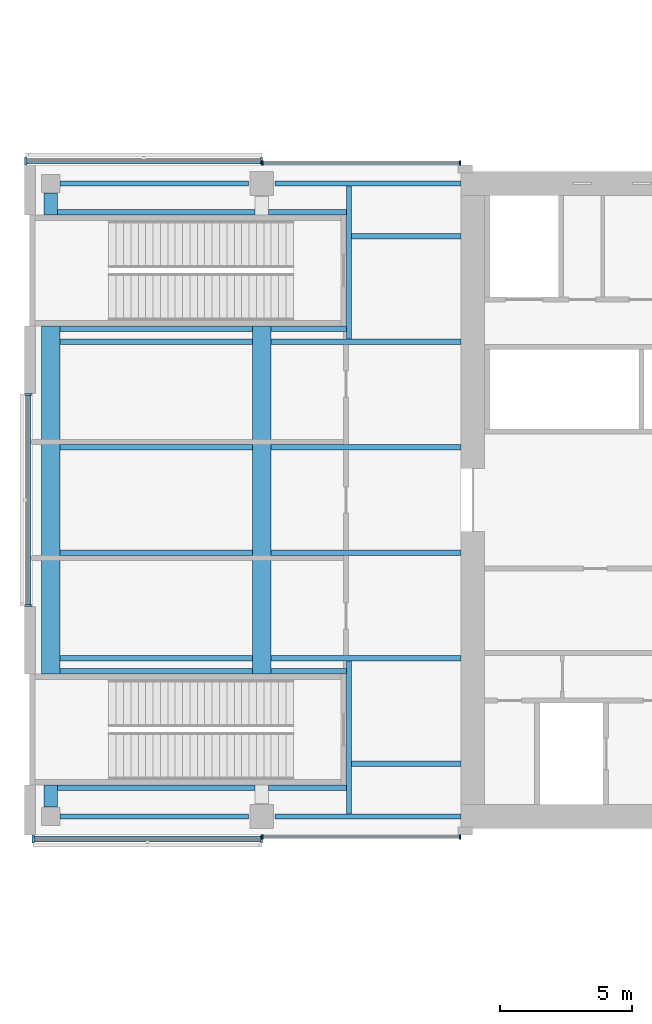
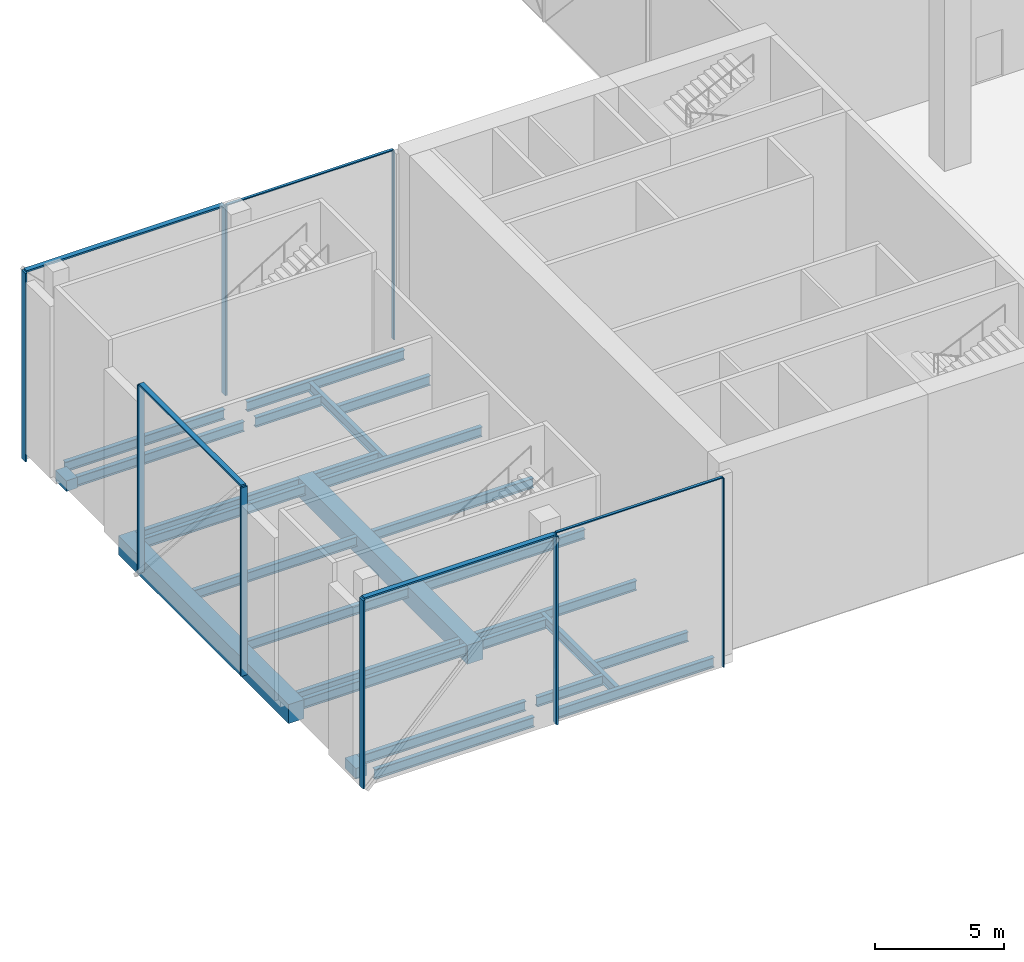
# One storey, part 4 of 26: 28 beams, 15 members, 5 elements without a shape of their own.
"""IFC4 building model written with IfcOpenShell, lengths in metres."""

from ifc_helpers import new_model, si_unit, direction, frame, origin, origin_2d, place, context, subcontext, project, spatial, rectangle, i_section, extrude, material, material_profile, profile_set, type_object, element, aggregate, save


model = new_model("IFC4")

# Units and contexts
model_context = context("Model", 3, precision=1e-05, world=origin(), true_north=direction((0.0, 1.0)))
body_context = subcontext(model_context, "Body", "Model", "MODEL_VIEW")
ifc_project = project(units=[si_unit("LENGTHUNIT", "METRE"), si_unit("AREAUNIT", "SQUARE_METRE"), si_unit("VOLUMEUNIT", "CUBIC_METRE"), si_unit("PLANEANGLEUNIT", "RADIAN"), si_unit("MASSUNIT", "GRAM", prefix="KILO")], contexts=[model_context])

# Site, building, storey
site_placement = place(None, origin())
site = spatial("IfcSite", under=ifc_project, at=site_placement, CompositionType="ELEMENT")
building_placement = place(site_placement, origin())
building = spatial("IfcBuilding", under=site, at=building_placement, Name="Crosswind Convention Tower", CompositionType="ELEMENT")
storey_placement = place(building_placement, frame((0.0, 0.0, 25.0)))
storey = spatial("IfcBuildingStorey", under=building, at=storey_placement, Name="L03", CompositionType="ELEMENT", Elevation=25.0)

# Beams
ifc_material_1 = material(Name="Steel S355", Category="steel")
ifc_material_profile_1 = material_profile(ifc_material_1, i_section(OverallWidth=0.19287109375, OverallDepth=0.467529296875, WebThickness=0.011474609375, FlangeThickness=0.01953125, FilletRadius=0.01025390625, at=origin_2d()), Name="UB 457x191x98")
ifc_profile_set_1 = profile_set([ifc_material_profile_1], Name="Steel S355")
beam_type_1 = type_object("IfcBeamType", Name="Edge beam UB 457x191x98", PredefinedType="SPANDREL", material=ifc_profile_set_1)
for number, where, z_axis, x_axis, name in (
    (1, (81.35009765625, 88.0, -0.6337890625), (1.0, 0.0, 0.0), (0.0, 1.0, 0.0), "B20 L03 edge beam 1"),
    (2, (81.35009765625, 112.0, -0.6337890625), (1.0, 0.0, 0.0), (0.0, 1.0, 0.0), "B20 L03 edge beam 2"),
):
    element("IfcBeam", number, at=place(storey_placement, frame(where, z_axis=z_axis, x_axis=x_axis)), inside=storey, type_object=beam_type_1, Name=name, PredefinedType="SPANDREL", context=body_context, shape_type="SweptSolid", body=[
        extrude(i_section(OverallWidth=0.19287109375, OverallDepth=0.467529296875, WebThickness=0.011474609375, FlangeThickness=0.01953125, FilletRadius=0.01025390625, at=origin_2d()), origin(), (0.0, 0.0, 1.0), 7.14990234375),
    ])
for number, where, z_axis, x_axis, name in (
    (3, (89.5, 88.0, -0.6337890625), (1.0, 0.0, 0.0), (0.0, 1.0, 0.0), "B20 L03 edge beam 3"),
    (4, (89.5, 112.0, -0.6337890625), (1.0, 0.0, 0.0), (0.0, 1.0, 0.0), "B20 L03 edge beam 4"),
):
    element("IfcBeam", number, at=place(storey_placement, frame(where, z_axis=z_axis, x_axis=x_axis)), inside=storey, type_object=beam_type_1, Name=name, PredefinedType="SPANDREL", context=body_context, shape_type="SweptSolid", body=[
        extrude(i_section(OverallWidth=0.19287109375, OverallDepth=0.467529296875, WebThickness=0.011474609375, FlangeThickness=0.01953125, FilletRadius=0.01025390625, at=origin_2d()), origin(), (0.0, 0.0, 1.0), 7.050048828125),
    ])

# Curtain wall, members
ifc_material_2 = material(Name="Aluminium unitised curtain wall", Category="aluminium")
curtain_wall_type_1 = type_object("IfcCurtainWallType", Name="CORE END SLOT WALL 160", PredefinedType="USERDEFINED", material=ifc_material_2)
curtain_wall_1_placement = place(storey_placement, origin())
curtain_wall_1 = element("IfcCurtainWall", 5, at=curtain_wall_1_placement, inside=storey, type_object=curtain_wall_type_1, Name="CW6 L03 W-N.2-1 slot", ObjectType="UNITISED", PredefinedType="USERDEFINED")
ifc_material_3 = material(Name="Aluminium mullion", Category="aluminium")
ifc_material_profile_2 = material_profile(ifc_material_3, rectangle(XDim=0.159912109375, YDim=0.050048828125, at=origin_2d()), Name="AL 160X50")
ifc_profile_set_2 = profile_set([ifc_material_profile_2], Name="Aluminium mullion")
member_type_1 = type_object("IfcMemberType", Name="MULLION 50X160", PredefinedType="MULLION", material=ifc_profile_set_2)
member_1_placement = place(storey_placement, frame((96.52490234375, 112.780029296875, -0.39990234375), z_axis=(0.0, 0.0, 1.0), x_axis=(0.0, 1.0, 0.0)))
member_1 = element("IfcMember", 6, at=member_1_placement, type_object=member_type_1, Name="CW6 mullion 1", PredefinedType="MULLION", context=body_context, shape_type="SweptSolid", body=[
    extrude(rectangle(XDim=0.159912109375, YDim=0.050048828125, at=origin_2d()), origin(), (0.0, 0.0, 1.0), 8.949951171875),
])
member_2_placement = place(storey_placement, frame((89.02490234375, 112.780029296875, -0.39990234375), z_axis=(0.0, 0.0, 1.0), x_axis=(0.0, 1.0, 0.0)))
member_2 = element("IfcMember", 7, at=member_2_placement, type_object=member_type_1, Name="CW6 mullion 2", PredefinedType="MULLION", context=body_context, shape_type="SweptSolid", body=[
    extrude(rectangle(XDim=0.159912109375, YDim=0.050048828125, at=origin_2d()), origin(), (0.0, 0.0, 1.0), 8.949951171875),
])

curtain_wall_2_placement = place(storey_placement, origin())
curtain_wall_2 = element("IfcCurtainWall", 8, at=curtain_wall_2_placement, inside=storey, type_object=curtain_wall_type_1, Name="CW6 L03 W-S.1-2 slot", ObjectType="UNITISED", PredefinedType="USERDEFINED")
member_3_placement = place(storey_placement, frame((89.02490234375, 87.219970703125, -0.39990234375), z_axis=(0.0, 0.0, 1.0), x_axis=(0.0, -1.0, 0.0)))
member_3 = element("IfcMember", 9, at=member_3_placement, type_object=member_type_1, Name="CW6 mullion 1", PredefinedType="MULLION", context=body_context, shape_type="SweptSolid", body=[
    extrude(rectangle(XDim=0.159912109375, YDim=0.050048828125, at=origin_2d()), origin(), (0.0, 0.0, 1.0), 8.949951171875),
])
member_4_placement = place(storey_placement, frame((96.52490234375, 87.219970703125, -0.39990234375), z_axis=(0.0, 0.0, 1.0), x_axis=(0.0, -1.0, 0.0)))
member_4 = element("IfcMember", 10, at=member_4_placement, type_object=member_type_1, Name="CW6 mullion 2", PredefinedType="MULLION", context=body_context, shape_type="SweptSolid", body=[
    extrude(rectangle(XDim=0.159912109375, YDim=0.050048828125, at=origin_2d()), origin(), (0.0, 0.0, 1.0), 8.949951171875),
])

curtain_wall_type_2 = type_object("IfcCurtainWallType", Name="PODIUM UNITISED WALL 300", PredefinedType="USERDEFINED", material=ifc_material_2)
curtain_wall_3_placement = place(storey_placement, origin())
curtain_wall_3 = element("IfcCurtainWall", 11, at=curtain_wall_3_placement, inside=storey, type_object=curtain_wall_type_2, Name="CW1 L03 W-N 2", ObjectType="UNITISED", PredefinedType="USERDEFINED")
ifc_material_profile_3 = material_profile(ifc_material_3, rectangle(XDim=0.300048828125, YDim=0.080078125, at=origin_2d()), Name="AL 300X80")
ifc_profile_set_3 = profile_set([ifc_material_profile_3], Name="Aluminium mullion")
member_type_2 = type_object("IfcMemberType", Name="MULLION 80X300", PredefinedType="MULLION", material=ifc_profile_set_3)
member_5_placement = place(storey_placement, frame((89.0, 112.85009765625, -0.39990234375), z_axis=(0.0, 0.0, 1.0), x_axis=(0.0, 1.0, 0.0)))
member_5 = element("IfcMember", 12, at=member_5_placement, type_object=member_type_2, Name="CW1 mullion 1", PredefinedType="MULLION", context=body_context, shape_type="SweptSolid", body=[
    extrude(rectangle(XDim=0.300048828125, YDim=0.080078125, at=origin_2d()), origin(), (0.0, 0.0, 1.0), 8.919921875),
])
member_6_placement = place(storey_placement, frame((80.054931640625, 112.85009765625, -0.39990234375), z_axis=(0.0, 0.0, 1.0), x_axis=(0.0, 1.0, 0.0)))
member_6 = element("IfcMember", 13, at=member_6_placement, type_object=member_type_2, Name="CW1 mullion 2", PredefinedType="MULLION", context=body_context, shape_type="SweptSolid", body=[
    extrude(rectangle(XDim=0.300048828125, YDim=0.080078125, at=origin_2d()), origin(), (0.0, 0.0, 1.0), 8.919921875),
])

curtain_wall_4_placement = place(storey_placement, origin())
curtain_wall_4 = element("IfcCurtainWall", 14, at=curtain_wall_4_placement, inside=storey, type_object=curtain_wall_type_2, Name="CW1 L03 W-TIP 1", ObjectType="UNITISED", PredefinedType="USERDEFINED")
member_7_placement = place(storey_placement, frame((80.14990234375, 104.0, -0.39990234375), z_axis=(0.0, 0.0, 1.0), x_axis=(-1.0, 0.0, 0.0)))
member_7 = element("IfcMember", 15, at=member_7_placement, type_object=member_type_2, Name="CW1 mullion 1", PredefinedType="MULLION", context=body_context, shape_type="SweptSolid", body=[
    extrude(rectangle(XDim=0.300048828125, YDim=0.080078125, at=origin_2d()), origin(), (0.0, 0.0, 1.0), 8.919921875),
])
member_8_placement = place(storey_placement, frame((80.14990234375, 96.0, -0.39990234375), z_axis=(0.0, 0.0, 1.0), x_axis=(-1.0, 0.0, 0.0)))
member_8 = element("IfcMember", 16, at=member_8_placement, type_object=member_type_2, Name="CW1 mullion 2", PredefinedType="MULLION", context=body_context, shape_type="SweptSolid", body=[
    extrude(rectangle(XDim=0.300048828125, YDim=0.080078125, at=origin_2d()), origin(), (0.0, 0.0, 1.0), 8.919921875),
])

curtain_wall_5_placement = place(storey_placement, origin())
curtain_wall_5 = element("IfcCurtainWall", 17, at=curtain_wall_5_placement, inside=storey, type_object=curtain_wall_type_2, Name="CW1 L03 W-S 1", ObjectType="UNITISED", PredefinedType="USERDEFINED")
member_9_placement = place(storey_placement, frame((80.340087890625, 87.14990234375, -0.39990234375), z_axis=(0.0, 0.0, 1.0), x_axis=(0.0, -1.0, 0.0)))
member_9 = element("IfcMember", 18, at=member_9_placement, type_object=member_type_2, Name="CW1 mullion 1", PredefinedType="MULLION", context=body_context, shape_type="SweptSolid", body=[
    extrude(rectangle(XDim=0.300048828125, YDim=0.080078125, at=origin_2d()), origin(), (0.0, 0.0, 1.0), 8.919921875),
])
member_10_placement = place(storey_placement, frame((89.0, 87.14990234375, -0.39990234375), z_axis=(0.0, 0.0, 1.0), x_axis=(0.0, -1.0, 0.0)))
member_10 = element("IfcMember", 19, at=member_10_placement, type_object=member_type_2, Name="CW1 mullion 2", PredefinedType="MULLION", context=body_context, shape_type="SweptSolid", body=[
    extrude(rectangle(XDim=0.300048828125, YDim=0.080078125, at=origin_2d()), origin(), (0.0, 0.0, 1.0), 8.919921875),
])

# Beams
ifc_material_4 = material(Name="Concrete C60/75", Category="concrete")
ifc_material_profile_4 = material_profile(ifc_material_4, rectangle(XDim=0.699951171875, YDim=0.89990234375, at=origin_2d()), Name="RC 700X900")
ifc_profile_set_4 = profile_set([ifc_material_profile_4], Name="Concrete C60/75")
beam_type_2 = type_object("IfcBeamType", Name="Prestressed concrete girder between stair walls RC 700X900", PredefinedType="BEAM", material=ifc_profile_set_4)
for number, where, z_axis, x_axis, name in (
    (20, (81.0, 93.39990234375, -0.85009765625), (0.0, 1.0, 0.0), (-1.0, 0.0, 0.0), "B41 L03 prestressed concrete girder between stair walls 1"),
    (21, (89.0, 93.39990234375, -0.85009765625), (0.0, 1.0, 0.0), (-1.0, 0.0, 0.0), "B41 L03 prestressed concrete girder between stair walls 2"),
):
    element("IfcBeam", number, at=place(storey_placement, frame(where, z_axis=z_axis, x_axis=x_axis)), inside=storey, type_object=beam_type_2, Name=name, PredefinedType="BEAM", context=body_context, shape_type="SweptSolid", body=[
        extrude(rectangle(XDim=0.699951171875, YDim=0.89990234375, at=origin_2d()), origin(), (0.0, 0.0, 1.0), 13.2001953125),
    ])
ifc_material_profile_5 = material_profile(ifc_material_1, i_section(OverallWidth=0.19140625, OverallDepth=0.460205078125, WebThickness=0.010009765625, FlangeThickness=0.01611328125, FilletRadius=0.01025390625, at=origin_2d()), Name="UB 457x191x82")
ifc_profile_set_5 = profile_set([ifc_material_profile_5], Name="Steel S355")
beam_type_3 = type_object("IfcBeamType", Name="Secondary beam UB 457x191x82", PredefinedType="JOIST", material=ifc_profile_set_5)
for number, where, z_axis, x_axis, name in (
    (22, (81.35009765625, 94.0, -0.630126953125), (1.0, 0.0, 0.0), (0.0, 1.0, 0.0), "B13 L03 secondary beam 1"),
    (23, (81.35009765625, 98.0, -0.630126953125), (1.0, 0.0, 0.0), (0.0, 1.0, 0.0), "B13 L03 secondary beam 2"),
    (24, (81.35009765625, 102.0, -0.630126953125), (1.0, 0.0, 0.0), (0.0, 1.0, 0.0), "B13 L03 secondary beam 3"),
    (25, (81.35009765625, 106.0, -0.630126953125), (1.0, 0.0, 0.0), (0.0, 1.0, 0.0), "B13 L03 secondary beam 4"),
):
    element("IfcBeam", number, at=place(storey_placement, frame(where, z_axis=z_axis, x_axis=x_axis)), inside=storey, type_object=beam_type_3, Name=name, PredefinedType="JOIST", context=body_context, shape_type="SweptSolid", body=[
        extrude(i_section(OverallWidth=0.19140625, OverallDepth=0.460205078125, WebThickness=0.010009765625, FlangeThickness=0.01611328125, FilletRadius=0.01025390625, at=origin_2d()), origin(), (0.0, 0.0, 1.0), 7.2998046875),
    ])
for number, where, z_axis, x_axis, name in (
    (26, (89.35009765625, 94.0, -0.630126953125), (1.0, 0.0, 0.0), (0.0, 1.0, 0.0), "B13 L03 secondary beam 5"),
    (27, (89.35009765625, 98.0, -0.630126953125), (1.0, 0.0, 0.0), (0.0, 1.0, 0.0), "B13 L03 secondary beam 6"),
    (28, (89.35009765625, 102.0, -0.630126953125), (1.0, 0.0, 0.0), (0.0, 1.0, 0.0), "B13 L03 secondary beam 7"),
    (29, (89.35009765625, 106.0, -0.630126953125), (1.0, 0.0, 0.0), (0.0, 1.0, 0.0), "B13 L03 secondary beam 8"),
):
    element("IfcBeam", number, at=place(storey_placement, frame(where, z_axis=z_axis, x_axis=x_axis)), inside=storey, type_object=beam_type_3, Name=name, PredefinedType="JOIST", context=body_context, shape_type="SweptSolid", body=[
        extrude(i_section(OverallWidth=0.19140625, OverallDepth=0.460205078125, WebThickness=0.010009765625, FlangeThickness=0.01611328125, FilletRadius=0.01025390625, at=origin_2d()), origin(), (0.0, 0.0, 1.0), 7.199951171875),
    ])
for number, where, z_axis, x_axis, name in (
    (30, (92.406005859375, 90.0, -0.630126953125), (1.0, 0.0, 0.0), (0.0, 1.0, 0.0), "B13 L03 secondary beam 9"),
    (31, (92.406005859375, 110.0, -0.630126953125), (1.0, 0.0, 0.0), (0.0, 1.0, 0.0), "B13 L03 secondary beam 10"),
):
    element("IfcBeam", number, at=place(storey_placement, frame(where, z_axis=z_axis, x_axis=x_axis)), inside=storey, type_object=beam_type_3, Name=name, PredefinedType="JOIST", context=body_context, shape_type="SweptSolid", body=[
        extrude(i_section(OverallWidth=0.19140625, OverallDepth=0.460205078125, WebThickness=0.010009765625, FlangeThickness=0.01611328125, FilletRadius=0.01025390625, at=origin_2d()), origin(), (0.0, 0.0, 1.0), 4.14404296875),
    ])
ifc_material_profile_6 = material_profile(ifc_material_4, rectangle(XDim=0.5, YDim=0.5, at=origin_2d()), Name="RC 500X500")
ifc_profile_set_6 = profile_set([ifc_material_profile_6], Name="Concrete C60/75")
beam_type_4 = type_object("IfcBeamType", Name="Slab edge tie beam RC 500X500", PredefinedType="BEAM", material=ifc_profile_set_6)
for number, where, z_axis, x_axis, name in (
    (32, (81.0, 88.35009765625, -0.64990234375), (0.0, 1.0, 0.0), (-1.0, 0.0, 0.0), "B42 L03 slab edge tie beam 1"),
    (33, (81.0, 110.800048828125, -0.64990234375), (0.0, 1.0, 0.0), (-1.0, 0.0, 0.0), "B42 L03 slab edge tie beam 2"),
):
    element("IfcBeam", number, at=place(storey_placement, frame(where, z_axis=z_axis, x_axis=x_axis)), inside=storey, type_object=beam_type_4, Name=name, PredefinedType="BEAM", context=body_context, shape_type="SweptSolid", body=[
        extrude(rectangle(XDim=0.5, YDim=0.5, at=origin_2d()), origin(), (0.0, 0.0, 1.0), 0.849853515625),
    ])

# Member
ifc_material_5 = material(Name="Aluminium transom", Category="aluminium")
ifc_material_profile_7 = material_profile(ifc_material_5, rectangle(XDim=0.1201171875, YDim=0.050048828125, at=origin_2d()), Name="AL 120X50")
ifc_profile_set_7 = profile_set([ifc_material_profile_7], Name="Aluminium transom")
member_type_3 = type_object("IfcMemberType", Name="TRANSOM 50X120", PredefinedType="USERDEFINED", material=ifc_profile_set_7)
member_11_placement = place(storey_placement, frame((96.5, 112.780029296875, 8.574951171875), z_axis=(-1.0, 0.0, 0.0), x_axis=(0.0, -1.0, 0.0)))
member_11 = element("IfcMember", 34, at=member_11_placement, type_object=member_type_3, Name="CW6 transom", ObjectType="TRANSOM", PredefinedType="USERDEFINED", context=body_context, shape_type="SweptSolid", body=[
    extrude(rectangle(XDim=0.1201171875, YDim=0.050048828125, at=origin_2d()), origin(), (0.0, 0.0, 1.0), 7.449951171875),
])

aggregate(curtain_wall_1, [member_1, member_2, member_11])

member_12_placement = place(storey_placement, frame((89.050048828125, 87.219970703125, 8.574951171875), z_axis=(1.0, 0.0, 0.0), x_axis=(0.0, 1.0, 0.0)))
member_12 = element("IfcMember", 35, at=member_12_placement, type_object=member_type_3, Name="CW6 transom", ObjectType="TRANSOM", PredefinedType="USERDEFINED", context=body_context, shape_type="SweptSolid", body=[
    extrude(rectangle(XDim=0.1201171875, YDim=0.050048828125, at=origin_2d()), origin(), (0.0, 0.0, 1.0), 7.449951171875),
])

aggregate(curtain_wall_2, [member_3, member_4, member_12])

ifc_material_profile_8 = material_profile(ifc_material_5, rectangle(XDim=0.219970703125, YDim=0.080078125, at=origin_2d()), Name="AL 220X80")
ifc_profile_set_8 = profile_set([ifc_material_profile_8], Name="Aluminium transom")
member_type_4 = type_object("IfcMemberType", Name="TRANSOM 80X220", PredefinedType="USERDEFINED", material=ifc_profile_set_8)
member_13_placement = place(storey_placement, frame((88.9599609375, 112.85009765625, 8.56005859375), z_axis=(-1.0, 0.0, 0.0), x_axis=(0.0, -1.0, 0.0)))
member_13 = element("IfcMember", 36, at=member_13_placement, type_object=member_type_4, Name="CW1 transom", ObjectType="TRANSOM", PredefinedType="USERDEFINED", context=body_context, shape_type="SweptSolid", body=[
    extrude(rectangle(XDim=0.219970703125, YDim=0.080078125, at=origin_2d()), origin(), (0.0, 0.0, 1.0), 8.864990234375),
])

aggregate(curtain_wall_3, [member_5, member_6, member_13])

member_14_placement = place(storey_placement, frame((80.14990234375, 103.9599609375, 8.56005859375), z_axis=(0.0, -1.0, 0.0), x_axis=(1.0, 0.0, 0.0)))
member_14 = element("IfcMember", 37, at=member_14_placement, type_object=member_type_4, Name="CW1 transom", ObjectType="TRANSOM", PredefinedType="USERDEFINED", context=body_context, shape_type="SweptSolid", body=[
    extrude(rectangle(XDim=0.219970703125, YDim=0.080078125, at=origin_2d()), origin(), (0.0, 0.0, 1.0), 7.919921875),
])

aggregate(curtain_wall_4, [member_7, member_8, member_14])

member_15_placement = place(storey_placement, frame((80.3798828125, 87.14990234375, 8.56005859375), z_axis=(1.0, 0.0, 0.0), x_axis=(0.0, 1.0, 0.0)))
member_15 = element("IfcMember", 38, at=member_15_placement, type_object=member_type_4, Name="CW1 transom", ObjectType="TRANSOM", PredefinedType="USERDEFINED", context=body_context, shape_type="SweptSolid", body=[
    extrude(rectangle(XDim=0.219970703125, YDim=0.080078125, at=origin_2d()), origin(), (0.0, 0.0, 1.0), 8.580078125),
])

aggregate(curtain_wall_5, [member_9, member_10, member_15])

# Beams
ifc_material_profile_9 = material_profile(ifc_material_1, i_section(OverallWidth=0.19189453125, OverallDepth=0.463623046875, WebThickness=0.010498046875, FlangeThickness=0.017578125, FilletRadius=0.01025390625, at=origin_2d()), Name="UB 457x191x90")
ifc_profile_set_9 = profile_set([ifc_material_profile_9], Name="Steel S355")
beam_type_5 = type_object("IfcBeamType", Name="Trimmer beam UB 457x191x90", PredefinedType="BEAM", material=ifc_profile_set_9)
for number, where, z_axis, x_axis, name in (
    (39, (88.64990234375, 93.510009765625, -0.6318359375), (-1.0, 0.0, 0.0), (0.0, -1.0, 0.0), "B33 L03 trimmer beam 1"),
    (40, (88.64990234375, 106.489990234375, -0.6318359375), (-1.0, 0.0, 0.0), (0.0, -1.0, 0.0), "B33 L03 trimmer beam 2"),
):
    element("IfcBeam", number, at=place(storey_placement, frame(where, z_axis=z_axis, x_axis=x_axis)), inside=storey, type_object=beam_type_5, Name=name, PredefinedType="BEAM", context=body_context, shape_type="SweptSolid", body=[
        extrude(i_section(OverallWidth=0.19189453125, OverallDepth=0.463623046875, WebThickness=0.010498046875, FlangeThickness=0.017578125, FilletRadius=0.01025390625, at=origin_2d()), origin(), (0.0, 0.0, 1.0), 7.2998046875),
    ])
for number, where, z_axis, x_axis, name in (
    (41, (88.75, 89.090087890625, -0.6318359375), (-1.0, 0.0, 0.0), (0.0, -1.0, 0.0), "B33 L03 trimmer beam 3"),
    (42, (88.75, 110.909912109375, -0.6318359375), (-1.0, 0.0, 0.0), (0.0, -1.0, 0.0), "B33 L03 trimmer beam 4"),
):
    element("IfcBeam", number, at=place(storey_placement, frame(where, z_axis=z_axis, x_axis=x_axis)), inside=storey, type_object=beam_type_5, Name=name, PredefinedType="BEAM", context=body_context, shape_type="SweptSolid", body=[
        extrude(i_section(OverallWidth=0.19189453125, OverallDepth=0.463623046875, WebThickness=0.010498046875, FlangeThickness=0.017578125, FilletRadius=0.01025390625, at=origin_2d()), origin(), (0.0, 0.0, 1.0), 7.5),
    ])
beam_1_placement = place(storey_placement, frame((92.214111328125, 89.090087890625, -0.6318359375), z_axis=(-1.0, 0.0, 0.0), x_axis=(0.0, -1.0, 0.0)))
element("IfcBeam", 43, at=beam_1_placement, inside=storey, type_object=beam_type_5, Name="B33 L03 trimmer beam 5", PredefinedType="BEAM", context=body_context, shape_type="SweptSolid", body=[
    extrude(i_section(OverallWidth=0.19189453125, OverallDepth=0.463623046875, WebThickness=0.010498046875, FlangeThickness=0.017578125, FilletRadius=0.01025390625, at=origin_2d()), origin(), (0.0, 0.0, 1.0), 2.964111328125),
])
for number, where, z_axis, x_axis, name in (
    (44, (92.214111328125, 93.510009765625, -0.6318359375), (-1.0, 0.0, 0.0), (0.0, -1.0, 0.0), "B33 L03 trimmer beam 6"),
    (45, (92.214111328125, 106.489990234375, -0.6318359375), (-1.0, 0.0, 0.0), (0.0, -1.0, 0.0), "B33 L03 trimmer beam 7"),
):
    element("IfcBeam", number, at=place(storey_placement, frame(where, z_axis=z_axis, x_axis=x_axis)), inside=storey, type_object=beam_type_5, Name=name, PredefinedType="BEAM", context=body_context, shape_type="SweptSolid", body=[
        extrude(i_section(OverallWidth=0.19189453125, OverallDepth=0.463623046875, WebThickness=0.010498046875, FlangeThickness=0.017578125, FilletRadius=0.01025390625, at=origin_2d()), origin(), (0.0, 0.0, 1.0), 2.864013671875),
    ])
beam_2_placement = place(storey_placement, frame((92.214111328125, 110.909912109375, -0.6318359375), z_axis=(-1.0, 0.0, 0.0), x_axis=(0.0, -1.0, 0.0)))
element("IfcBeam", 46, at=beam_2_placement, inside=storey, type_object=beam_type_5, Name="B33 L03 trimmer beam 8", PredefinedType="BEAM", context=body_context, shape_type="SweptSolid", body=[
    extrude(i_section(OverallWidth=0.19189453125, OverallDepth=0.463623046875, WebThickness=0.010498046875, FlangeThickness=0.017578125, FilletRadius=0.01025390625, at=origin_2d()), origin(), (0.0, 0.0, 1.0), 2.964111328125),
])
for number, where, z_axis, x_axis, name in (
    (47, (92.31005859375, 88.096435546875, -0.6318359375), (0.0, 1.0, 0.0), (-1.0, 0.0, 0.0), "B33 L03 trimmer beam 9"),
    (48, (92.31005859375, 106.095703125, -0.6318359375), (0.0, 1.0, 0.0), (-1.0, 0.0, 0.0), "B33 L03 trimmer beam 10"),
):
    element("IfcBeam", number, at=place(storey_placement, frame(where, z_axis=z_axis, x_axis=x_axis)), inside=storey, type_object=beam_type_5, Name=name, PredefinedType="BEAM", context=body_context, shape_type="SweptSolid", body=[
        extrude(i_section(OverallWidth=0.19189453125, OverallDepth=0.463623046875, WebThickness=0.010498046875, FlangeThickness=0.017578125, FilletRadius=0.01025390625, at=origin_2d()), origin(), (0.0, 0.0, 1.0), 5.807861328125),
    ])

save(model, "model.ifc")
